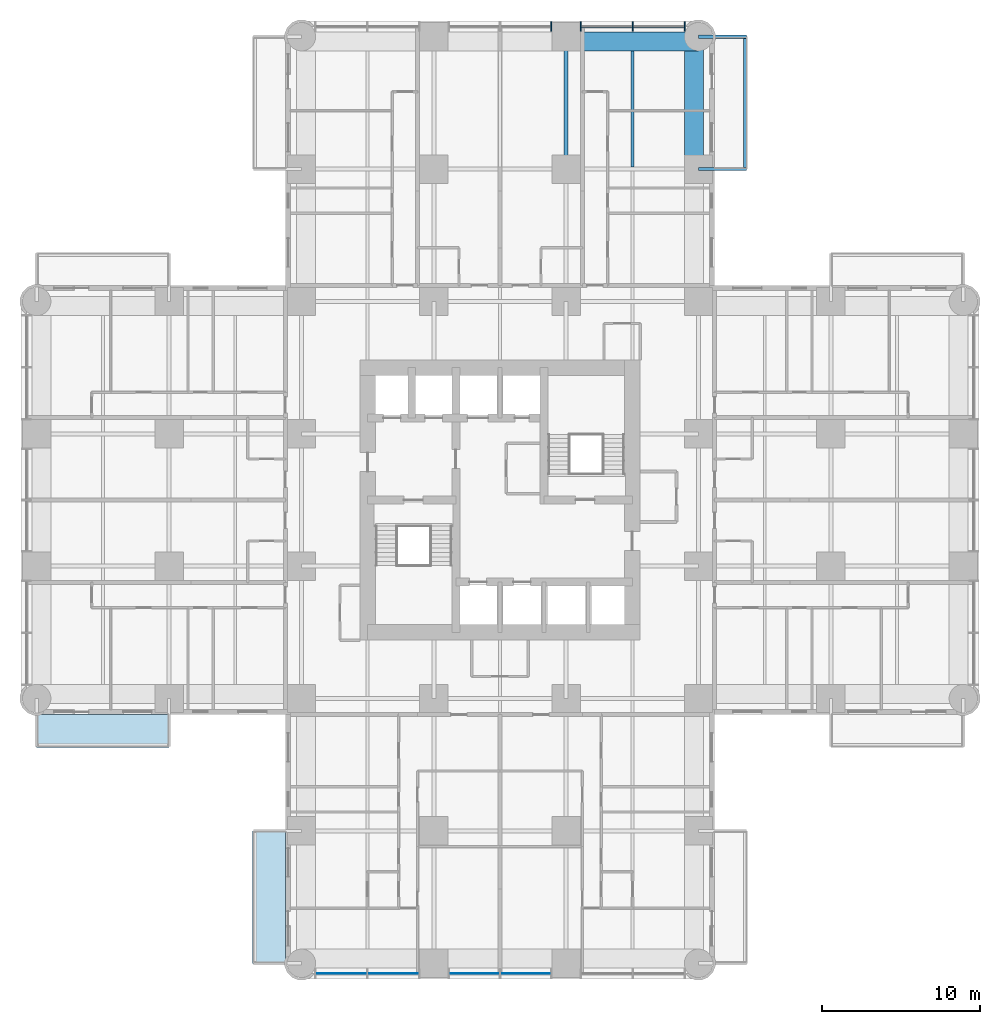
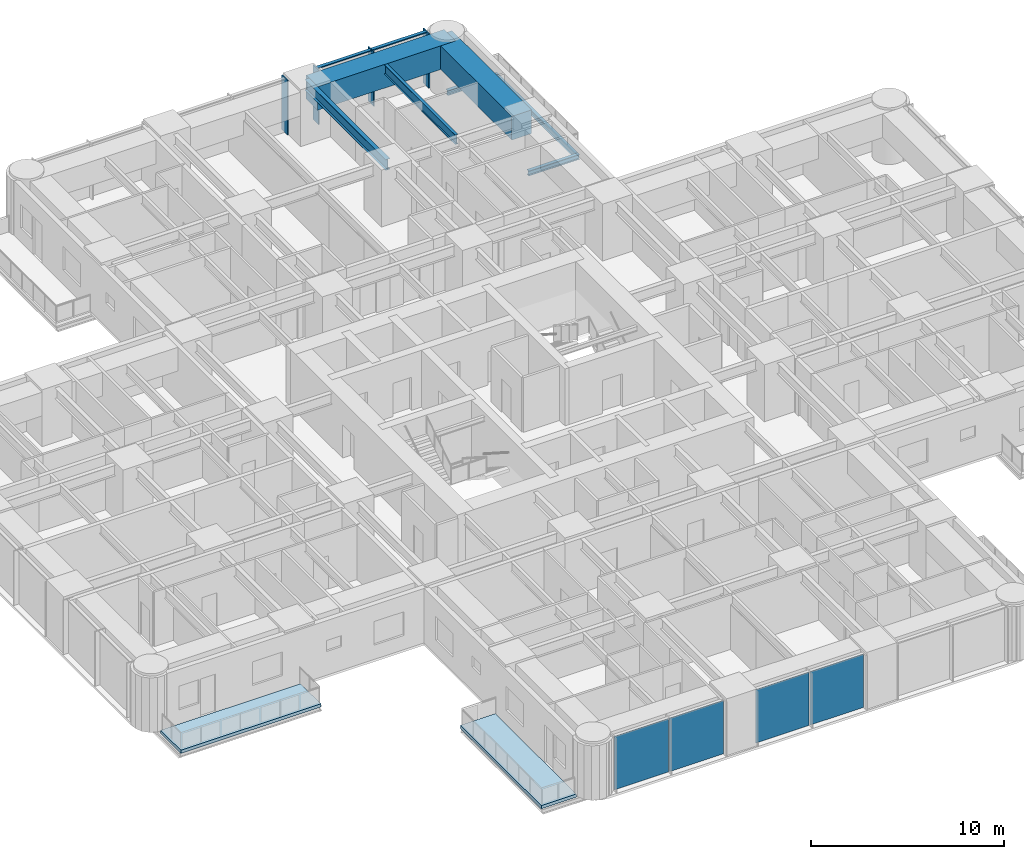
# One storey, part 5 of 17: 7 beams, 6 members, 4 plates, 2 slabs, 2 elements without a shape of their own.
"""IFC4 building model written with IfcOpenShell, lengths in metres."""

from ifc_helpers import new_model, si_unit, direction, frame, origin, origin_2d, place, context, subcontext, project, spatial, polyline, rectangle, i_section, outline, extrude, material, layer, layer_set, material_profile, profile_set, type_object, element, aggregate, save


model = new_model("IFC4")

# Units and contexts
model_context = context("Model", 3, precision=1e-05, world=origin(), true_north=direction((0.0, 1.0)))
body_context = subcontext(model_context, "Body", "Model", "MODEL_VIEW")
ifc_project = project(units=[si_unit("LENGTHUNIT", "METRE"), si_unit("AREAUNIT", "SQUARE_METRE"), si_unit("VOLUMEUNIT", "CUBIC_METRE"), si_unit("PLANEANGLEUNIT", "RADIAN"), si_unit("MASSUNIT", "GRAM", prefix="KILO")], contexts=[model_context])

# Site, building, storey
site_placement = place(None, origin())
site = spatial("IfcSite", under=ifc_project, at=site_placement, CompositionType="ELEMENT")
building_placement = place(site_placement, origin())
building = spatial("IfcBuilding", under=site, at=building_placement, Name="Torre Alcanfor", CompositionType="ELEMENT")
storey_placement = place(building_placement, frame((0.0, 0.0, 84.89990234375)))
storey = spatial("IfcBuildingStorey", under=building, at=storey_placement, Name="L21", CompositionType="ELEMENT", Elevation=84.89990234375)

# Beams
ifc_material_1 = material(Name="Steel ASTM A992 Grade 50", Category="steel")
ifc_material_profile_1 = material_profile(ifc_material_1, i_section(OverallWidth=0.205322265625, OverallDepth=0.309814453125, WebThickness=0.00927734375, FlangeThickness=0.016357421875, at=origin_2d()), Name="W12x50")
ifc_profile_set_1 = profile_set([ifc_material_profile_1], Name="Steel ASTM A992 Grade 50")
beam_type_1 = type_object("IfcBeamType", Name="Balcony cantilever beam W12x50", PredefinedType="BEAM", material=ifc_profile_set_1)
for number, where, z_axis, x_axis, name in (
    (1, (42.0, 50.39990234375, -0.354736328125), (1.0, 0.0, 0.0), (0.0, 1.0, 0.0), "Balcony cantilever beam L21-N2 1"),
    (2, (42.0, 58.800048828125, -0.354736328125), (1.0, 0.0, 0.0), (0.0, 1.0, 0.0), "Balcony cantilever beam L21-N2 2"),
):
    element("IfcBeam", number, at=place(storey_placement, frame(where, z_axis=z_axis, x_axis=x_axis)), inside=storey, type_object=beam_type_1, Name=name, PredefinedType="BEAM", context=body_context, shape_type="SweptSolid", body=[
        extrude(i_section(OverallWidth=0.205322265625, OverallDepth=0.309814453125, WebThickness=0.00927734375, FlangeThickness=0.016357421875, at=origin_2d()), origin(), (0.0, 0.0, 1.0), 3.050048828125),
    ])
ifc_material_2 = material(Name="Steel ASTM A992 Grade 50", Category="steel")
ifc_material_profile_2 = material_profile(ifc_material_2, i_section(OverallWidth=0.203369140625, OverallDepth=0.30224609375, WebThickness=0.007568359375, FlangeThickness=0.01318359375, at=origin_2d()), Name="W12x40")
ifc_profile_set_2 = profile_set([ifc_material_profile_2], Name="Steel ASTM A992 Grade 50")
beam_type_2 = type_object("IfcBeamType", Name="Balcony edge trimmer W12x40", PredefinedType="BEAM", material=ifc_profile_set_2)
beam_1_placement = place(storey_placement, frame((44.9482421875, 50.39990234375, -0.35107421875), z_axis=(0.0, 1.0, 0.0), x_axis=(-1.0, 0.0, 0.0)))
element("IfcBeam", 3, at=beam_1_placement, inside=storey, type_object=beam_type_2, Name="Balcony edge trimmer L21-N2", PredefinedType="BEAM", context=body_context, shape_type="SweptSolid", body=[
    extrude(i_section(OverallWidth=0.203369140625, OverallDepth=0.30224609375, WebThickness=0.007568359375, FlangeThickness=0.01318359375, at=origin_2d()), origin(), (0.0, 0.0, 1.0), 8.400146484375),
])

# Curtain wall, members
ifc_material_3 = material(Name="Aluminium and glass", Category="aluminium")
curtain_wall_type = type_object("IfcCurtainWallType", Name="CW-A unitised apartment glazing with vertical FIN", PredefinedType="NOTDEFINED", material=ifc_material_3)
curtain_wall_1_placement = place(storey_placement, origin())
curtain_wall_1 = element("IfcCurtainWall", 4, at=curtain_wall_1_placement, inside=storey, type_object=curtain_wall_type, Name="Curtain wall CW-A L21 11", PredefinedType="NOTDEFINED")
ifc_material_4 = material(Name="Bronze anodised aluminium", Category="aluminium")
ifc_material_profile_3 = material_profile(ifc_material_4, rectangle(XDim=0.60009765625, YDim=0.06494140625, at=origin_2d()), Name="CW-A mullion 65x600")
ifc_profile_set_3 = profile_set([ifc_material_profile_3], Name="Bronze anodised aluminium")
member_type_1 = type_object("IfcMemberType", Name="CW-A mullion with vertical FIN 65x600", PredefinedType="MULLION", material=ifc_profile_set_3)
member_1_placement = place(storey_placement, frame((41.133056640625, 59.449951171875, 0.0), z_axis=(0.0, 0.0, 1.0), x_axis=(0.0, -1.0, 0.0)))
member_1 = element("IfcMember", 5, at=member_1_placement, type_object=member_type_1, Name="CW-A mullion 1.1", PredefinedType="MULLION", context=body_context, shape_type="SweptSolid", body=[
    extrude(rectangle(XDim=0.60009765625, YDim=0.06494140625, at=origin_2d()), origin(), (0.0, 0.0, 1.0), 3.4501953125),
])
member_2_placement = place(storey_placement, frame((37.835205078125, 59.449951171875, 0.0), z_axis=(0.0, 0.0, 1.0), x_axis=(0.0, -1.0, 0.0)))
member_2 = element("IfcMember", 6, at=member_2_placement, type_object=member_type_1, Name="CW-A mullion 1.2", PredefinedType="MULLION", context=body_context, shape_type="SweptSolid", body=[
    extrude(rectangle(XDim=0.60009765625, YDim=0.06494140625, at=origin_2d()), origin(), (0.0, 0.0, 1.0), 3.4501953125),
])
member_3_placement = place(storey_placement, frame((34.53759765625, 59.449951171875, 0.0), z_axis=(0.0, 0.0, 1.0), x_axis=(0.0, -1.0, 0.0)))
member_3 = element("IfcMember", 7, at=member_3_placement, type_object=member_type_1, Name="CW-A mullion 1.3", PredefinedType="MULLION", context=body_context, shape_type="SweptSolid", body=[
    extrude(rectangle(XDim=0.60009765625, YDim=0.06494140625, at=origin_2d()), origin(), (0.0, 0.0, 1.0), 3.4501953125),
])
member_4_placement = place(storey_placement, frame((32.66259765625, 59.449951171875, 0.0), z_axis=(0.0, 0.0, 1.0), x_axis=(0.0, -1.0, 0.0)))
member_4 = element("IfcMember", 8, at=member_4_placement, type_object=member_type_1, Name="CW-A mullion 2.1", PredefinedType="MULLION", context=body_context, shape_type="SweptSolid", body=[
    extrude(rectangle(XDim=0.60009765625, YDim=0.06494140625, at=origin_2d()), origin(), (0.0, 0.0, 1.0), 3.4501953125),
])
ifc_material_5 = material(Name="Extruded aluminium", Category="aluminium")
ifc_material_profile_4 = material_profile(ifc_material_5, rectangle(XDim=0.199951171875, YDim=0.06494140625, at=origin_2d()), Name="CW-A transom 200x65")
ifc_profile_set_4 = profile_set([ifc_material_profile_4], Name="Extruded aluminium")
member_type_2 = type_object("IfcMemberType", Name="CW-A transom 65x200", PredefinedType="USERDEFINED", material=ifc_profile_set_4)
member_5_placement = place(storey_placement, frame((41.1005859375, 59.449951171875, 3.41748046875), z_axis=(-1.0, 0.0, 0.0), x_axis=(0.0, -1.0, 0.0)))
member_5 = element("IfcMember", 9, at=member_5_placement, type_object=member_type_2, Name="CW-A transom 1.1.2", ObjectType="TRANSOM", PredefinedType="USERDEFINED", context=body_context, shape_type="SweptSolid", body=[
    extrude(rectangle(XDim=0.199951171875, YDim=0.06494140625, at=origin_2d()), origin(), (0.0, 0.0, 1.0), 3.23291015625),
])
member_6_placement = place(storey_placement, frame((37.802734375, 59.449951171875, 3.41748046875), z_axis=(-1.0, 0.0, 0.0), x_axis=(0.0, -1.0, 0.0)))
member_6 = element("IfcMember", 10, at=member_6_placement, type_object=member_type_2, Name="CW-A transom 1.2.2", ObjectType="TRANSOM", PredefinedType="USERDEFINED", context=body_context, shape_type="SweptSolid", body=[
    extrude(rectangle(XDim=0.199951171875, YDim=0.06494140625, at=origin_2d()), origin(), (0.0, 0.0, 1.0), 3.232666015625),
])
aggregate(curtain_wall_1, [member_1, member_2, member_3, member_5, member_6, member_4])

# Beams
ifc_material_6 = material(Name="Steel ASTM A992 Grade 50", Category="steel")
ifc_material_profile_5 = material_profile(ifc_material_6, i_section(OverallWidth=0.25390625, OverallDepth=0.683349609375, WebThickness=0.012451171875, FlangeThickness=0.01904296875, at=origin_2d()), Name="W27x94")
ifc_profile_set_5 = profile_set([ifc_material_profile_5], Name="Steel ASTM A992 Grade 50")
beam_type_3 = type_object("IfcBeamType", Name="Girder W27x94", PredefinedType="BEAM", material=ifc_profile_set_5)
beam_2_placement = place(storey_placement, frame((33.60009765625, 50.39990234375, 3.1083984375), z_axis=(0.0, 1.0, 0.0), x_axis=(-1.0, 0.0, 0.0)))
element("IfcBeam", 11, at=beam_2_placement, inside=storey, type_object=beam_type_3, Name="Beam 5J-5K under L22", PredefinedType="BEAM", context=body_context, shape_type="SweptSolid", body=[
    extrude(i_section(OverallWidth=0.25390625, OverallDepth=0.683349609375, WebThickness=0.012451171875, FlangeThickness=0.01904296875, at=origin_2d()), origin(), (0.0, 0.0, 1.0), 8.400146484375),
])
ifc_material_7 = material(Name="Concrete f'c 70 MPa", Category="concrete")
ifc_material_profile_6 = material_profile(ifc_material_7, rectangle(XDim=1.199951171875, YDim=1.5, at=origin_2d()), Name="1200x1500")
ifc_profile_set_6 = profile_set([ifc_material_profile_6], Name="Concrete f'c 70 MPa")
beam_type_4 = type_object("IfcBeamType", Name="RC perimeter beam 1200x1500", PredefinedType="BEAM", material=ifc_profile_set_6)
for number, where, z_axis, x_axis, name in (
    (12, (33.72705078125, 58.5, 2.7001953125), (1.0, 0.0, 0.0), (0.0, 1.0, 0.0), "Beam 5K-6K under L22"),
    (13, (41.699951171875, 50.527099609375, 2.7001953125), (0.0, 1.0, 0.0), (-1.0, 0.0, 0.0), "Beam 6J-6K under L22"),
):
    element("IfcBeam", number, at=place(storey_placement, frame(where, z_axis=z_axis, x_axis=x_axis)), inside=storey, type_object=beam_type_4, Name=name, PredefinedType="BEAM", context=body_context, shape_type="SweptSolid", body=[
        extrude(rectangle(XDim=1.199951171875, YDim=1.5, at=origin_2d()), origin(), (0.0, 0.0, 1.0), 8.27294921875),
    ])
ifc_material_8 = material(Name="Steel ASTM A992 Grade 50", Category="steel")
ifc_material_profile_7 = material_profile(ifc_material_8, i_section(OverallWidth=0.1787109375, OverallDepth=0.60205078125, WebThickness=0.010986328125, FlangeThickness=0.014892578125, at=origin_2d()), Name="W24x62")
ifc_profile_set_7 = profile_set([ifc_material_profile_7], Name="Steel ASTM A992 Grade 50")
beam_type_5 = type_object("IfcBeamType", Name="Secondary beam W24x62", PredefinedType="BEAM", material=ifc_profile_set_7)
beam_3_placement = place(storey_placement, frame((37.800048828125, 50.527099609375, 3.149169921875), z_axis=(0.0, 1.0, 0.0), x_axis=(-1.0, 0.0, 0.0)))
element("IfcBeam", 14, at=beam_3_placement, inside=storey, type_object=beam_type_5, Name="Beam 37_8J-37_8K under L22", PredefinedType="BEAM", context=body_context, shape_type="SweptSolid", body=[
    extrude(i_section(OverallWidth=0.1787109375, OverallDepth=0.60205078125, WebThickness=0.010986328125, FlangeThickness=0.014892578125, at=origin_2d()), origin(), (0.0, 0.0, 1.0), 7.372802734375),
])

# Slabs
ifc_material_9 = material(Name="Concrete f'c 35 MPa", Category="concrete")
ifc_layer_1 = layer(ifc_material_9, 0.199951171875)
ifc_layer_set_1 = layer_set([ifc_layer_1], Name="Balcony slab 200")
slab_type = type_object("IfcSlabType", Name="Balcony slab 200", PredefinedType="FLOOR", material=ifc_layer_set_1)
slab_1_placement = place(storey_placement, frame((0.0, 0.0, -0.199951171875)))
element("IfcSlab", 15, at=slab_1_placement, inside=storey, type_object=slab_type, Name="Balcony L21-S2", PredefinedType="FLOOR", context=body_context, shape_type="SweptSolid", body=[
    extrude(outline(polyline([(13.699951171875, 8.39990234375), (13.699951171875, 0.0), (15.800048828125, 0.0), (15.800048828125, 8.39990234375), (13.699951171875, 8.39990234375)])), origin(), (0.0, 0.0, 1.0), 0.199951171875),
])
slab_2_placement = place(storey_placement, frame((0.0, 0.0, -0.199951171875)))
element("IfcSlab", 16, at=slab_2_placement, inside=storey, type_object=slab_type, Name="Balcony L21-W1", PredefinedType="FLOOR", context=body_context, shape_type="SweptSolid", body=[
    extrude(outline(polyline([(8.39990234375, 15.800048828125), (0.0, 15.800048828125), (0.0, 13.699951171875), (8.39990234375, 13.699951171875), (8.39990234375, 15.800048828125)])), origin(), (0.0, 0.0, 1.0), 0.199951171875),
])

# Curtain wall, plates
curtain_wall_2_placement = place(storey_placement, origin())
curtain_wall_2 = element("IfcCurtainWall", 17, at=curtain_wall_2_placement, inside=storey, type_object=curtain_wall_type, Name="Curtain wall CW-A L21 5", PredefinedType="NOTDEFINED")
ifc_material_10 = material(Name="Glass", Category="glass")
ifc_layer_2 = layer(ifc_material_10, 0.028076171875)
ifc_layer_set_2 = layer_set([ifc_layer_2], Name="CW-A clear double glazed unit")
plate_type = type_object("IfcPlateType", Name="CW-A clear double glazed unit", PredefinedType="CURTAIN_PANEL", material=ifc_layer_set_2)
plate_1_placement = place(storey_placement, frame((19.31591796875, -0.64990234375, 0.0), z_axis=(0.0, 0.0, 1.0), x_axis=(1.0, 0.0, 0.0)))
plate_1 = element("IfcPlate", 18, at=plate_1_placement, type_object=plate_type, Name="CW-A panel 1.1.1", PredefinedType="CURTAIN_PANEL", context=body_context, shape_type="SweptSolid", body=[
    extrude(rectangle(XDim=3.232666015625, YDim=0.028076171875, at=origin_2d()), origin(), (0.0, 0.0, 1.0), 3.385009765625),
])
plate_2_placement = place(storey_placement, frame((22.613525390625, -0.64990234375, 0.0), z_axis=(0.0, 0.0, 1.0), x_axis=(1.0, 0.0, 0.0)))
plate_2 = element("IfcPlate", 19, at=plate_2_placement, type_object=plate_type, Name="CW-A panel 1.2.1", PredefinedType="CURTAIN_PANEL", context=body_context, shape_type="SweptSolid", body=[
    extrude(rectangle(XDim=3.232666015625, YDim=0.028076171875, at=origin_2d()), origin(), (0.0, 0.0, 1.0), 3.385009765625),
])
plate_3_placement = place(storey_placement, frame((27.768798828125, -0.64990234375, 0.0), z_axis=(0.0, 0.0, 1.0), x_axis=(1.0, 0.0, 0.0)))
plate_3 = element("IfcPlate", 20, at=plate_3_placement, type_object=plate_type, Name="CW-A panel 2.1.1", PredefinedType="CURTAIN_PANEL", context=body_context, shape_type="SweptSolid", body=[
    extrude(rectangle(XDim=3.197509765625, YDim=0.028076171875, at=origin_2d()), origin(), (0.0, 0.0, 1.0), 3.385009765625),
])
plate_4_placement = place(storey_placement, frame((31.03125, -0.64990234375, 0.0), z_axis=(0.0, 0.0, 1.0), x_axis=(1.0, 0.0, 0.0)))
plate_4 = element("IfcPlate", 21, at=plate_4_placement, type_object=plate_type, Name="CW-A panel 2.2.1", PredefinedType="CURTAIN_PANEL", context=body_context, shape_type="SweptSolid", body=[
    extrude(rectangle(XDim=3.197509765625, YDim=0.028076171875, at=origin_2d()), origin(), (0.0, 0.0, 1.0), 3.385009765625),
])
aggregate(curtain_wall_2, [plate_1, plate_2, plate_3, plate_4])

save(model, "model.ifc")
